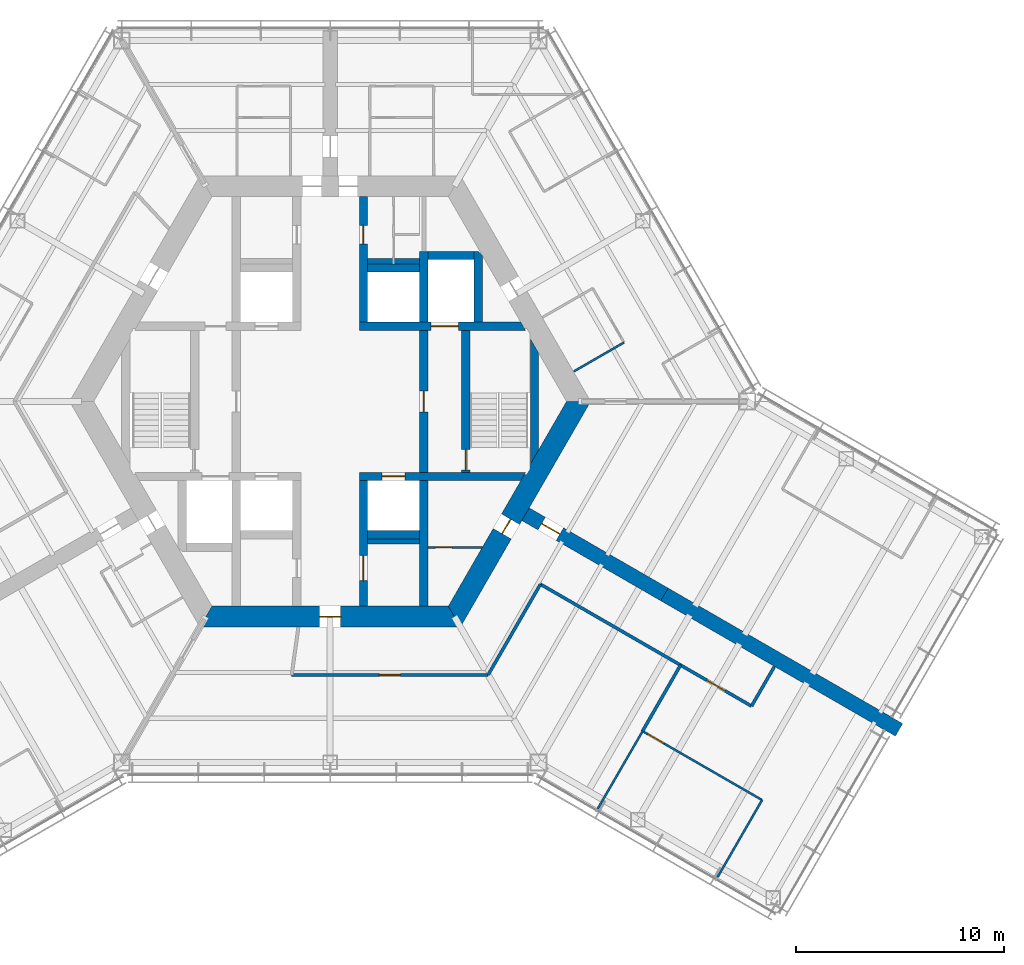
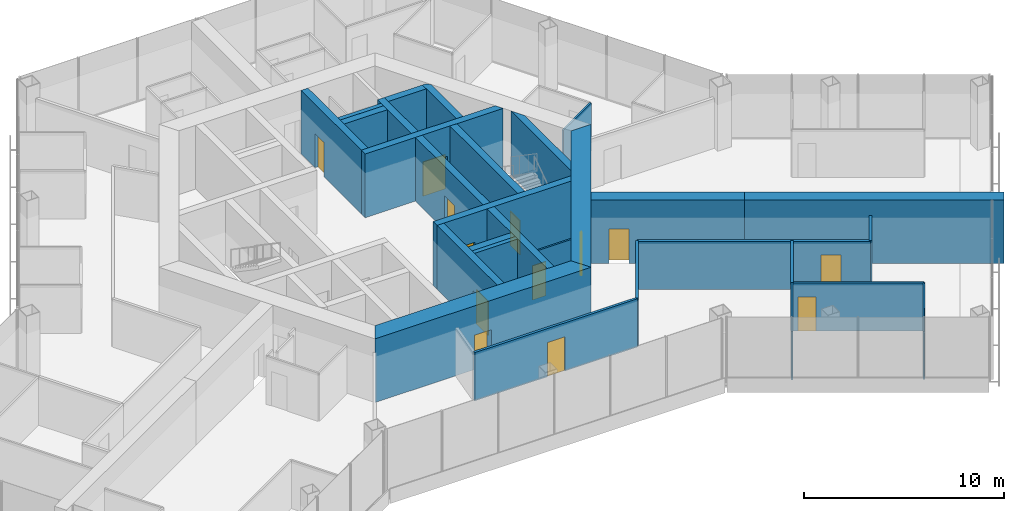
# One storey, part 13 of 18: 30 walls, 13 doors, 13 openings.
"""IFC4 building model written with IfcOpenShell, lengths in metres."""

import ifcopenshell
import ifcopenshell.guid

model = None  # the IFC model being written
_history = None  # IfcOwnerHistory: only IFC2X3 demands one
_inside = {}  # id of a spatial element -> (the spatial element, [elements in it])
_under = {}  # id of a project, library or spatial element -> (it, [spatial elements below it])
_declared = {}  # id of a project -> (the project, [libraries it declares])
_typed = {}  # id of a type object -> (the type object, [elements of that type])
_made_of = {}  # id of a material, layer set ... -> (it, [elements and type objects made of it])


def new_model(schema):
    """Start an empty IFC model of exactly this schema.

    Asked for "IFC4X3", IfcOpenShell would pick the latest addendum, in which some entities
    have other attributes; the version numbers below select the first issue.
    IFC2X3 requires an IfcOwnerHistory on every rooted entity: one is made here for all.
    """
    global model, _history
    if schema == "IFC4X3":
        model = ifcopenshell.file(schema_version=(4, 3, 0, 0))
    else:
        model = ifcopenshell.file(schema=schema)
    _inside.clear()
    _under.clear()
    _declared.clear()
    _typed.clear()
    _made_of.clear()
    _history = None
    if model.schema == "IFC2X3":
        org = make("IfcOrganization", Name="unknown")
        user = make(
            "IfcPersonAndOrganization",
            ThePerson=make("IfcPerson", FamilyName="unknown"),
            TheOrganization=org,
        )
        app = make(
            "IfcApplication",
            ApplicationDeveloper=org,
            Version="unknown",
            ApplicationFullName="unknown",
            ApplicationIdentifier="unknown",
        )
        _history = make(
            "IfcOwnerHistory",
            OwningUser=user,
            OwningApplication=app,
            ChangeAction="ADDED",
            CreationDate=0,
        )
    return model


def make(cls, **values):
    """One entity of the class cls with the attributes given. An attribute that is None is left unset."""
    return model.create_entity(
        cls, **{name: value for name, value in values.items() if value is not None}
    )


def rooted(cls, **values):
    """An entity with a GlobalId (a new one), such as an element, a storey or a relation."""
    return make(cls, GlobalId=ifcopenshell.guid.new(), OwnerHistory=_history, **values)


def si_unit(unit_type, name, prefix=None):
    """IfcSIUnit, for example si_unit("LENGTHUNIT", "METRE", prefix="MILLI")."""
    return make("IfcSIUnit", UnitType=unit_type, Prefix=prefix, Name=name)


def assignment(units):
    """IfcUnitAssignment: the units of a project."""
    return None if units is None else make("IfcUnitAssignment", Units=units)


def point(xyz):
    """IfcCartesianPoint."""
    return None if xyz is None else make("IfcCartesianPoint", Coordinates=xyz)


def direction(xyz):
    """IfcDirection."""
    return None if xyz is None else make("IfcDirection", DirectionRatios=xyz)


def frame(location, z_axis=None, x_axis=None):
    """IfcAxis2Placement3D, a coordinate frame: its origin and axes. An axis left out is left unset."""
    return make(
        "IfcAxis2Placement3D",
        Location=point(location),
        Axis=direction(z_axis),
        RefDirection=direction(x_axis),
    )


def frame_2d(location, x_axis=None):
    """IfcAxis2Placement2D, a coordinate frame in the plane: its origin and x axis."""
    return make(
        "IfcAxis2Placement2D", Location=point(location), RefDirection=direction(x_axis)
    )


def origin():
    """The frame at (0, 0, 0) with its axes left unset."""
    return frame((0.0, 0.0, 0.0))


def place(relative_to, where):
    """IfcLocalPlacement: puts the frame where relative to a parent placement (None: the world)."""
    return make(
        "IfcLocalPlacement", PlacementRelTo=relative_to, RelativePlacement=where
    )


def context(
    kind, dimensions, precision=None, world=None, true_north=None, identifier=None
):
    """IfcGeometricRepresentationContext, for example the 3D "Model" context."""
    return make(
        "IfcGeometricRepresentationContext",
        ContextIdentifier=identifier,
        ContextType=kind,
        CoordinateSpaceDimension=dimensions,
        Precision=precision,
        WorldCoordinateSystem=world,
        TrueNorth=true_north,
    )


def subcontext(parent, identifier, kind, view, scale=None):
    """IfcGeometricRepresentationSubContext, for example "Body" below "Model"."""
    return make(
        "IfcGeometricRepresentationSubContext",
        ContextIdentifier=identifier,
        ContextType=kind,
        ParentContext=parent,
        TargetScale=scale,
        TargetView=view,
    )


def project(units=None, contexts=None):
    """IfcProject with its units and contexts."""
    return rooted(
        "IfcProject",
        Name="project",
        RepresentationContexts=contexts,
        UnitsInContext=assignment(units),
    )


def spatial(cls, under=None, at=None, **own):
    """A site, building, storey or space (cls), placed at a placement, below another one or the project."""
    s = rooted(cls, ObjectPlacement=at, **own)
    if under is not None:
        _under.setdefault(under.id(), (under, []))[1].append(s)
    return s


def polyline(points):
    """IfcPolyline through the points."""
    return make("IfcPolyline", Points=[point(p) for p in points])


def profile(cls, at=None, kind="AREA", **sizes):
    """A parametric profile (cls). Its sizes go by their IFC names, for example OverallWidth=200.0."""
    return make(cls, ProfileType=kind, Position=at, **sizes)


def rectangle(**sizes):
    """IfcRectangleProfileDef."""
    return profile("IfcRectangleProfileDef", **sizes)


def outline(outer, holes=None, kind="AREA"):
    """IfcArbitraryClosedProfileDef: a profile drawn as a closed curve; with holes, ...WithVoids."""
    if holes is None:
        return make("IfcArbitraryClosedProfileDef", ProfileType=kind, OuterCurve=outer)
    return make(
        "IfcArbitraryProfileDefWithVoids",
        ProfileType=kind,
        OuterCurve=outer,
        InnerCurves=holes,
    )


def extrude(swept, where, along, depth):
    """IfcExtrudedAreaSolid: the profile swept, set in the frame where, extruded along a direction by depth."""
    return make(
        "IfcExtrudedAreaSolid",
        SweptArea=swept,
        Position=where,
        ExtrudedDirection=direction(along),
        Depth=depth,
    )


def shape(context_of_items, identifier, shape_type, items):
    """IfcShapeRepresentation: the items that make up one representation, for example the "Body"."""
    return make(
        "IfcShapeRepresentation",
        ContextOfItems=context_of_items,
        RepresentationIdentifier=identifier,
        RepresentationType=shape_type,
        Items=items,
    )


def material(Name=None, Category=None):
    """IfcMaterial."""
    return make("IfcMaterial", Name=Name, Category=Category)


def layer(
    of_material, thickness, ventilated=None, Name=None, Category=None, Priority=None
):
    """IfcMaterialLayer: one layer of a wall or slab, of a material (None: an air gap)."""
    return make(
        "IfcMaterialLayer",
        Material=of_material,
        LayerThickness=thickness,
        IsVentilated=ventilated,
        Name=Name,
        Category=Category,
        Priority=Priority,
    )


def layer_set(layers, Name=None):
    """IfcMaterialLayerSet."""
    return make("IfcMaterialLayerSet", MaterialLayers=layers, LayerSetName=Name)


def made_of(thing, what):
    """Note that an element or type object is made of a material, layer set ...; save() writes the relation."""
    if what is not None:
        _made_of.setdefault(what.id(), (what, []))[1].append(thing)
    return thing


def type_object(cls, material=None, **own):
    """A type object (cls), such as IfcWallType, which elements share."""
    return made_of(rooted(cls, **own), material)


def element(
    cls,
    number,
    at=None,
    inside=None,
    cuts=None,
    type_object=None,
    material=None,
    context=None,
    identifier="Body",
    shape_type=None,
    held_by="IfcProductDefinitionShape",
    body=None,
    shapes=None,
    **own,
):
    """One element of the class cls, such as IfcWall. Its Tag is "e" and its number.

    at: its placement. inside: the storey or other place that contains it. cuts: it is an
    opening in that element (IfcRelVoidsElement). A single representation is given by context,
    identifier, shape_type and body (its items); several are given by shapes. held_by: the class
    of the entity that holds the representations. save() writes the other relations.
    """
    e = rooted(cls, Tag="e%d" % number, ObjectPlacement=at, **own)
    if body is not None:
        shapes = [shape(context, identifier, shape_type, body)]
    if shapes is not None:
        e.Representation = make(held_by, Representations=shapes)
    if inside is not None:
        _inside.setdefault(inside.id(), (inside, []))[1].append(e)
    if cuts is not None:
        rooted(
            "IfcRelVoidsElement", RelatingBuildingElement=cuts, RelatedOpeningElement=e
        )
    if type_object is not None:
        _typed.setdefault(type_object.id(), (type_object, []))[1].append(e)
    return made_of(e, material)


def fill(opening, filler):
    """IfcRelFillsElement: the door or window that sits in an opening."""
    return rooted(
        "IfcRelFillsElement",
        RelatingOpeningElement=opening,
        RelatedBuildingElement=filler,
    )


def aggregate(whole, parts):
    """IfcRelAggregates: a whole, such as a stair, and the parts it consists of."""
    return rooted("IfcRelAggregates", RelatingObject=whole, RelatedObjects=parts)


def save(model, path):
    """Write the relations noted so far, then the file.

    IfcRelAggregates (storeys below a building ...), IfcRelContainedInSpatialStructure (elements
    in a storey), IfcRelDefinesByType, IfcRelAssociatesMaterial and IfcRelDeclares: one each for
    every whole, place, type object, material and project.
    """
    for whole, parts in _under.values():
        aggregate(whole, parts)
    for where, things in _inside.values():
        rooted(
            "IfcRelContainedInSpatialStructure",
            RelatedElements=things,
            RelatingStructure=where,
        )
    for kind, things in _typed.values():
        rooted("IfcRelDefinesByType", RelatedObjects=things, RelatingType=kind)
    for what, things in _made_of.values():
        rooted("IfcRelAssociatesMaterial", RelatedObjects=things, RelatingMaterial=what)
    for by, libraries in _declared.values():
        rooted("IfcRelDeclares", RelatingContext=by, RelatedDefinitions=libraries)
    model.write(path)


model = new_model("IFC4")

# Units and contexts
model_context = context("Model", 3, precision=1e-05, world=origin(), true_north=direction((0.0, 1.0)))
body_context = subcontext(model_context, "Body", "Model", "MODEL_VIEW")
ifc_project = project(units=[si_unit("LENGTHUNIT", "METRE"), si_unit("AREAUNIT", "SQUARE_METRE"), si_unit("VOLUMEUNIT", "CUBIC_METRE"), si_unit("PLANEANGLEUNIT", "RADIAN"), si_unit("MASSUNIT", "GRAM", prefix="KILO")], contexts=[model_context])

# Site, building, storey
site_placement = place(None, origin())
site = spatial("IfcSite", under=ifc_project, at=site_placement, CompositionType="ELEMENT")
building_placement = place(site_placement, origin())
building = spatial("IfcBuilding", under=site, at=building_placement, Name="Kasaneha Research Tower", CompositionType="ELEMENT")
storey_placement = place(building_placement, frame((0.0, 0.0, 152.60009765625)))
storey = spatial("IfcBuildingStorey", under=building, at=storey_placement, Name="L38", CompositionType="ELEMENT", Elevation=152.60009765625)

# Wall, opening, door
ifc_material_1 = material(Name="Concrete Fc70", Category="concrete")
ifc_layer_1 = layer(ifc_material_1, 0.39990234375)
ifc_layer_set_1 = layer_set([ifc_layer_1], Name="Core internal wall 400 Fc70")
wall_type_1 = type_object("IfcWallType", Name="Core internal wall 400 Fc70", PredefinedType="SHEAR", material=ifc_layer_set_1)
wall_1_placement = place(storey_placement, frame((1.39990234375, 3.60009765625, 0.0), z_axis=(0.0, 0.0, 1.0), x_axis=(1.0, 0.0, 0.0)))
wall_1 = element("IfcWall", 1, at=wall_1_placement, inside=storey, type_object=wall_type_1, Name="Core wall W1E L38", PredefinedType="SHEAR", context=body_context, shape_type="SweptSolid", body=[
    extrude(outline(polyline([(0.0, -0.199951171875), (3.449951171875, -0.199951171875), (4.75, -0.199951171875), (7.98193359375, -0.199951171875), (7.7509765625, 0.199951171875), (4.75, 0.199951171875), (3.449951171875, 0.199951171875), (0.0, 0.199951171875), (0.0, -0.199951171875)])), origin(), (0.0, 0.0, 1.0), 3.89990234375),
])
opening_1_placement = place(wall_1_placement, frame((3.449951171875, 0.0, 0.0)))
opening_1 = element("IfcOpeningElement", 2, at=opening_1_placement, cuts=wall_1, Name="Opening LD-FL1-L38", PredefinedType="OPENING", context=body_context, shape_type="SweptSolid", body=[
    extrude(rectangle(XDim=1.300048828125, YDim=2.10009765625, at=frame_2d((0.64990234375, 1.050048828125))), frame((0.0, 0.2099609375, 0.0), z_axis=(0.0, -1.0, 0.0), x_axis=(1.0, 0.0, 0.0)), (0.0, 0.0, 1.0), 0.419921875),
])
ifc_material_2 = material(Name="Steel", Category="steel")
door_type_1 = type_object("IfcDoorType", Name="Lift landing door 1300x2100", OperationType="DOUBLE_DOOR_SLIDING", PredefinedType="DOOR", material=ifc_material_2)
door_1_placement = place(opening_1_placement, origin())
door_1 = element("IfcDoor", 3, at=door_1_placement, inside=storey, type_object=door_type_1, Name="Landing door FL1 LD-FL1-L38", OperationType="DOUBLE_DOOR_SLIDING", OverallHeight=2.10009765625, OverallWidth=1.300048828125, PredefinedType="DOOR", context=body_context, shape_type="SweptSolid", body=[
    extrude(rectangle(XDim=1.300048828125, YDim=2.10009765625, at=frame_2d((0.64990234375, 1.050048828125))), frame((0.0, 0.02490234375, 0.0), z_axis=(0.0, -1.0, 0.0), x_axis=(1.0, 0.0, 0.0)), (0.0, 0.0, 1.0), 0.050048828125),
])
fill(opening_1, door_1)

wall_2_placement = place(storey_placement, frame((1.39990234375, -3.60009765625, 0.0), z_axis=(0.0, 0.0, 1.0), x_axis=(1.0, 0.0, 0.0)))
wall_2 = element("IfcWall", 4, at=wall_2_placement, inside=storey, type_object=wall_type_1, Name="Core wall W2E L38", PredefinedType="SHEAR", context=body_context, shape_type="SweptSolid", body=[
    extrude(outline(polyline([(0.0, -0.199951171875), (1.10009765625, -0.199951171875), (2.2001953125, -0.199951171875), (7.7509765625, -0.199951171875), (7.98193359375, 0.199951171875), (2.2001953125, 0.199951171875), (1.10009765625, 0.199951171875), (0.0, 0.199951171875), (0.0, -0.199951171875)])), origin(), (0.0, 0.0, 1.0), 3.89990234375),
])
opening_2_placement = place(wall_2_placement, frame((1.10009765625, 0.0, 0.0)))
opening_2 = element("IfcOpeningElement", 5, at=opening_2_placement, cuts=wall_2, Name="Opening LD-LM2-L38", PredefinedType="OPENING", context=body_context, shape_type="SweptSolid", body=[
    extrude(rectangle(XDim=1.10009765625, YDim=2.10009765625, at=frame_2d((0.550048828125, 1.050048828125))), frame((0.0, 0.2099609375, 0.0), z_axis=(0.0, -1.0, 0.0), x_axis=(1.0, 0.0, 0.0)), (0.0, 0.0, 1.0), 0.419921875),
])
ifc_material_3 = material(Name="Steel", Category="steel")
door_type_2 = type_object("IfcDoorType", Name="Lift landing door 1100x2100", OperationType="DOUBLE_DOOR_SLIDING", PredefinedType="DOOR", material=ifc_material_3)
door_2_placement = place(opening_2_placement, origin())
door_2 = element("IfcDoor", 6, at=door_2_placement, inside=storey, type_object=door_type_2, Name="Landing door LM2 LD-LM2-L38", OperationType="DOUBLE_DOOR_SLIDING", OverallHeight=2.10009765625, OverallWidth=1.10009765625, PredefinedType="DOOR", context=body_context, shape_type="SweptSolid", body=[
    extrude(rectangle(XDim=1.10009765625, YDim=2.10009765625, at=frame_2d((0.550048828125, 1.050048828125))), frame((0.0, 0.02490234375, 0.0), z_axis=(0.0, -1.0, 0.0), x_axis=(1.0, 0.0, 0.0)), (0.0, 0.0, 1.0), 0.050048828125),
])
fill(opening_2, door_2)

wall_3_placement = place(storey_placement, frame((1.60009765625, 3.800048828125, 0.0), z_axis=(0.0, 0.0, 1.0), x_axis=(0.0, 1.0, 0.0)))
wall_3 = element("IfcWall", 7, at=wall_3_placement, inside=storey, type_object=wall_type_1, Name="Core wall CNE L38", PredefinedType="SHEAR", context=body_context, shape_type="SweptSolid", body=[
    extrude(rectangle(XDim=6.02490234375, YDim=0.39990234375, at=frame_2d((3.012451171875, 0.0))), origin(), (0.0, 0.0, 1.0), 3.89990234375),
])
opening_3_placement = place(wall_3_placement, frame((3.75, 0.0, 0.0)))
opening_3 = element("IfcOpeningElement", 8, at=opening_3_placement, cuts=wall_3, Name="Opening L38-D14", PredefinedType="OPENING", context=body_context, shape_type="SweptSolid", body=[
    extrude(rectangle(XDim=0.89990234375, YDim=2.10009765625, at=frame_2d((0.449951171875, 1.050048828125))), frame((0.0, 0.2099609375, 0.0), z_axis=(0.0, -1.0, 0.0), x_axis=(1.0, 0.0, 0.0)), (0.0, 0.0, 1.0), 0.419921875),
])
ifc_material_4 = material(Name="Steel", Category="steel")
door_type_3 = type_object("IfcDoorType", Name="Toilet door FD20 900x2100", OperationType="NOTDEFINED", PredefinedType="DOOR", material=ifc_material_4)
door_3_placement = place(opening_3_placement, origin())
door_3 = element("IfcDoor", 9, at=door_3_placement, inside=storey, type_object=door_type_3, Name="Women's WC door L38-D14", OperationType="SINGLE_SWING_LEFT", OverallHeight=2.10009765625, OverallWidth=0.89990234375, PredefinedType="DOOR", context=body_context, shape_type="SweptSolid", body=[
    extrude(rectangle(XDim=0.89990234375, YDim=2.10009765625, at=frame_2d((0.449951171875, 1.050048828125))), frame((0.0, 0.02490234375, 0.0), z_axis=(0.0, -1.0, 0.0), x_axis=(1.0, 0.0, 0.0)), (0.0, 0.0, 1.0), 0.050048828125),
])
fill(opening_3, door_3)

wall_4_placement = place(storey_placement, frame((1.60009765625, -3.800048828125, 0.0), z_axis=(0.0, 0.0, 1.0), x_axis=(0.0, -1.0, 0.0)))
wall_4 = element("IfcWall", 10, at=wall_4_placement, inside=storey, type_object=wall_type_1, Name="Core wall CSE L38", PredefinedType="SHEAR", context=body_context, shape_type="SweptSolid", body=[
    extrude(rectangle(XDim=6.02490234375, YDim=0.39990234375, at=frame_2d((3.012451171875, 0.0))), origin(), (0.0, 0.0, 1.0), 3.89990234375),
])
opening_4_placement = place(wall_4_placement, frame((3.60009765625, 0.0, 0.0)))
opening_4 = element("IfcOpeningElement", 11, at=opening_4_placement, cuts=wall_4, Name="Opening L38-D15", PredefinedType="OPENING", context=body_context, shape_type="SweptSolid", body=[
    extrude(rectangle(XDim=1.199951171875, YDim=2.10009765625, at=frame_2d((0.60009765625, 1.050048828125))), frame((0.0, 0.2099609375, 0.0), z_axis=(0.0, -1.0, 0.0), x_axis=(1.0, 0.0, 0.0)), (0.0, 0.0, 1.0), 0.419921875),
])
ifc_material_5 = material(Name="Steel", Category="steel")
door_type_4 = type_object("IfcDoorType", Name="Accessible toilet sliding door FD20 1200x2100", OperationType="SLIDING_TO_LEFT", PredefinedType="DOOR", material=ifc_material_5)
door_4_placement = place(opening_4_placement, origin())
door_4 = element("IfcDoor", 12, at=door_4_placement, inside=storey, type_object=door_type_4, Name="Accessible WC door L38-D15", OperationType="SLIDING_TO_LEFT", OverallHeight=2.10009765625, OverallWidth=1.199951171875, PredefinedType="DOOR", context=body_context, shape_type="SweptSolid", body=[
    extrude(rectangle(XDim=1.199951171875, YDim=2.10009765625, at=frame_2d((0.60009765625, 1.050048828125))), frame((0.0, 0.02490234375, 0.0), z_axis=(0.0, -1.0, 0.0), x_axis=(1.0, 0.0, 0.0)), (0.0, 0.0, 1.0), 0.050048828125),
])
fill(opening_4, door_4)

wall_5_placement = place(storey_placement, frame((4.5, -3.39990234375, 0.0), z_axis=(0.0, 0.0, 1.0), x_axis=(0.0, 1.0, 0.0)))
wall_5 = element("IfcWall", 13, at=wall_5_placement, inside=storey, type_object=wall_type_1, Name="Core wall LBE L38", PredefinedType="SHEAR", context=body_context, shape_type="SweptSolid", body=[
    extrude(rectangle(XDim=6.7998046875, YDim=0.39990234375, at=frame_2d((3.39990234375, 0.0))), origin(), (0.0, 0.0, 1.0), 3.89990234375),
])
opening_5_placement = place(wall_5_placement, frame((2.89990234375, 0.0, 0.0)))
opening_5 = element("IfcOpeningElement", 14, at=opening_5_placement, cuts=wall_5, Name="Opening L38-D08", PredefinedType="OPENING", context=body_context, shape_type="SweptSolid", body=[
    extrude(rectangle(XDim=1.0, YDim=2.10009765625, at=frame_2d((0.5, 1.050048828125))), frame((0.0, 0.2099609375, 0.0), z_axis=(0.0, -1.0, 0.0), x_axis=(1.0, 0.0, 0.0)), (0.0, 0.0, 1.0), 0.419921875),
])
ifc_material_6 = material(Name="Steel", Category="steel")
door_type_5 = type_object("IfcDoorType", Name="Specified fire door FD60 1000x2100", OperationType="NOTDEFINED", PredefinedType="DOOR", material=ifc_material_6)
door_5_placement = place(opening_5_placement, origin())
door_5 = element("IfcDoor", 15, at=door_5_placement, inside=storey, type_object=door_type_5, Name="Lift lobby door east L38-D08", OperationType="SINGLE_SWING_LEFT", OverallHeight=2.10009765625, OverallWidth=1.0, PredefinedType="DOOR", context=body_context, shape_type="SweptSolid", body=[
    extrude(rectangle(XDim=1.0, YDim=2.10009765625, at=frame_2d((0.5, 1.050048828125))), frame((0.0, 0.02490234375, 0.0), z_axis=(0.0, -1.0, 0.0), x_axis=(1.0, 0.0, 0.0)), (0.0, 0.0, 1.0), 0.050048828125),
])
fill(opening_5, door_5)

wall_6_placement = place(storey_placement, frame((6.5, -3.39990234375, 0.0), z_axis=(0.0, 0.0, 1.0), x_axis=(0.0, 1.0, 0.0)))
wall_6 = element("IfcWall", 16, at=wall_6_placement, inside=storey, type_object=wall_type_1, Name="Core wall ANE L38", PredefinedType="SHEAR", context=body_context, shape_type="SweptSolid", body=[
    extrude(rectangle(XDim=6.7998046875, YDim=0.39990234375, at=frame_2d((3.39990234375, 0.0))), origin(), (0.0, 0.0, 1.0), 3.89990234375),
])
opening_6_placement = place(wall_6_placement, frame((0.10009765625, 0.0, 0.0)))
opening_6 = element("IfcOpeningElement", 17, at=opening_6_placement, cuts=wall_6, Name="Opening L38-D10", PredefinedType="OPENING", context=body_context, shape_type="SweptSolid", body=[
    extrude(rectangle(XDim=1.0, YDim=2.10009765625, at=frame_2d((0.5, 1.050048828125))), frame((0.0, 0.2099609375, 0.0), z_axis=(0.0, -1.0, 0.0), x_axis=(1.0, 0.0, 0.0)), (0.0, 0.0, 1.0), 0.419921875),
])
door_6_placement = place(opening_6_placement, origin())
door_6 = element("IfcDoor", 18, at=door_6_placement, inside=storey, type_object=door_type_5, Name="Stair 1 door L38-D10", OperationType="SINGLE_SWING_LEFT", OverallHeight=2.10009765625, OverallWidth=1.0, PredefinedType="DOOR", context=body_context, shape_type="SweptSolid", body=[
    extrude(rectangle(XDim=1.0, YDim=2.10009765625, at=frame_2d((0.5, 1.050048828125))), frame((0.0, 0.02490234375, 0.0), z_axis=(0.0, -1.0, 0.0), x_axis=(1.0, 0.0, 0.0)), (0.0, 0.0, 1.0), 0.050048828125),
])
fill(opening_6, door_6)

# Walls
wall_7_placement = place(storey_placement, frame((4.5, 3.800048828125, 0.0), z_axis=(0.0, 0.0, 1.0), x_axis=(0.0, 1.0, 0.0)))
element("IfcWall", 19, at=wall_7_placement, inside=storey, type_object=wall_type_1, Name="Core wall FNE L38", PredefinedType="SHEAR", context=body_context, shape_type="SweptSolid", body=[
    extrude(rectangle(XDim=3.39990234375, YDim=0.39990234375, at=frame_2d((1.699951171875, 0.0))), origin(), (0.0, 0.0, 1.0), 3.89990234375),
])
wall_8_placement = place(storey_placement, frame((4.5, -3.800048828125, 0.0), z_axis=(0.0, 0.0, 1.0), x_axis=(0.0, -1.0, 0.0)))
element("IfcWall", 20, at=wall_8_placement, inside=storey, type_object=wall_type_1, Name="Core wall SSE L38", PredefinedType="SHEAR", context=body_context, shape_type="SweptSolid", body=[
    extrude(rectangle(XDim=6.02490234375, YDim=0.39990234375, at=frame_2d((3.012451171875, 0.0))), origin(), (0.0, 0.0, 1.0), 3.89990234375),
])
for number, where, z_axis, x_axis, name in (
    (21, (1.800048828125, 6.39990234375, 0.0), (0.0, 0.0, 1.0), (1.0, 0.0, 0.0), "Core wall N3N L38"),
    (22, (1.800048828125, -6.39990234375, 0.0), (0.0, 0.0, 1.0), (1.0, 0.0, 0.0), "Core wall S3S L38"),
):
    element("IfcWall", number, at=place(storey_placement, frame(where, z_axis=z_axis, x_axis=x_axis)), inside=storey, type_object=wall_type_1, Name=name, PredefinedType="SHEAR", context=body_context, shape_type="SweptSolid", body=[
        extrude(rectangle(XDim=2.5, YDim=0.39990234375, at=frame_2d((1.25, 0.0))), origin(), (0.0, 0.0, 1.0), 3.89990234375),
    ])
wall_9_placement = place(storey_placement, frame((4.699951171875, 7.0, 0.0), z_axis=(0.0, 0.0, 1.0), x_axis=(1.0, 0.0, 0.0)))
element("IfcWall", 23, at=wall_9_placement, inside=storey, type_object=wall_type_1, Name="Core wall F1N L38", PredefinedType="SHEAR", context=body_context, shape_type="SweptSolid", body=[
    extrude(rectangle(XDim=2.199951171875, YDim=0.39990234375, at=frame_2d((1.10009765625, 0.0))), origin(), (0.0, 0.0, 1.0), 3.89990234375),
])
wall_10_placement = place(storey_placement, frame((7.10009765625, 3.800048828125, 0.0), z_axis=(0.0, 0.0, 1.0), x_axis=(0.0, 1.0, 0.0)))
element("IfcWall", 24, at=wall_10_placement, inside=storey, type_object=wall_type_1, Name="Core wall F1E L38", PredefinedType="SHEAR", context=body_context, shape_type="SweptSolid", body=[
    extrude(outline(polyline([(0.0, -0.199951171875), (3.205810546875, -0.199951171875), (3.39990234375, 0.0), (3.39990234375, 0.199951171875), (0.0, 0.199951171875), (0.0, -0.199951171875)])), origin(), (0.0, 0.0, 1.0), 3.89990234375),
])
wall_11_placement = place(storey_placement, frame((9.807861328125, -2.662353515625, 0.0), z_axis=(0.0, 0.0, 1.0), x_axis=(0.0, 1.0, 0.0)))
element("IfcWall", 25, at=wall_11_placement, inside=storey, type_object=wall_type_1, Name="Core wall STE L38", PredefinedType="SHEAR", context=body_context, shape_type="SweptSolid", body=[
    extrude(outline(polyline([(0.346435546875, -0.199951171875), (4.978271484375, -0.199951171875), (5.671142578125, 0.199951171875), (-0.346435546875, 0.199951171875), (0.346435546875, -0.199951171875)])), origin(), (0.0, 0.0, 1.0), 3.89990234375),
])

# Wall, opening, door
ifc_material_7 = material(Name="Concrete Fc70", Category="concrete")
ifc_layer_2 = layer(ifc_material_7, 1.0)
ifc_layer_set_2 = layer_set([ifc_layer_2], Name="Core wall 1000 Fc70")
wall_type_2 = type_object("IfcWallType", Name="Core wall 1000 Fc70", PredefinedType="SHEAR", material=ifc_layer_set_2)
wall_12_placement = place(storey_placement, frame((-5.961181640625, -10.324951171875, 0.0), z_axis=(0.0, 0.0, 1.0), x_axis=(1.0, 0.0, 0.0)))
wall_12 = element("IfcWall", 26, at=wall_12_placement, inside=storey, type_object=wall_type_2, Name="Core wall 270 L38", PredefinedType="SHEAR", context=body_context, shape_type="SweptSolid", body=[
    extrude(outline(polyline([(-0.28857421875, -0.5), (5.461181640625, -0.5), (6.461181640625, -0.5), (12.2109375, -0.5), (11.6337890625, 0.5), (6.461181640625, 0.5), (5.461181640625, 0.5), (0.28857421875, 0.5), (-0.28857421875, -0.5)])), origin(), (0.0, 0.0, 1.0), 3.89990234375),
])
opening_7_placement = place(wall_12_placement, frame((5.461181640625, 0.0, 0.0)))
opening_7 = element("IfcOpeningElement", 27, at=opening_7_placement, cuts=wall_12, Name="Opening L38-D03", PredefinedType="OPENING", context=body_context, shape_type="SweptSolid", body=[
    extrude(rectangle(XDim=1.0, YDim=2.10009765625, at=frame_2d((0.5, 1.050048828125))), frame((0.0, 0.510009765625, 0.0), z_axis=(0.0, -1.0, 0.0), x_axis=(1.0, 0.0, 0.0)), (0.0, 0.0, 1.0), 1.02001953125),
])
ifc_material_8 = material(Name="Steel", Category="steel")
door_type_6 = type_object("IfcDoorType", Name="Fire door FD20 1000x2100", OperationType="NOTDEFINED", PredefinedType="DOOR", material=ifc_material_8)
door_7_placement = place(opening_7_placement, origin())
door_7 = element("IfcDoor", 28, at=door_7_placement, inside=storey, type_object=door_type_6, Name="Core door south L38-D03", OperationType="SINGLE_SWING_LEFT", OverallHeight=2.10009765625, OverallWidth=1.0, PredefinedType="DOOR", context=body_context, shape_type="SweptSolid", body=[
    extrude(rectangle(XDim=1.0, YDim=2.10009765625, at=frame_2d((0.5, 1.050048828125))), frame((0.0, 0.02490234375, 0.0), z_axis=(0.0, -1.0, 0.0), x_axis=(1.0, 0.0, 0.0)), (0.0, 0.0, 1.0), 0.050048828125),
])
fill(opening_7, door_7)

wall_13_placement = place(storey_placement, frame((5.961181640625, -10.324951171875, 0.0), z_axis=(0.0, 0.0, 1.0), x_axis=(0.500004296715, 0.866022923061, 0.0)))
wall_13 = element("IfcWall", 29, at=wall_13_placement, inside=storey, type_object=wall_type_2, Name="Core wall 330 L38", PredefinedType="SHEAR", context=body_context, shape_type="SweptSolid", body=[
    extrude(outline(polyline([(-0.28857421875, -0.5), (4.593994140625, -0.5), (5.39404296875, -0.5), (12.2109375, -0.5), (11.6337890625, 0.5), (5.39404296875, 0.5), (4.593994140625, 0.5), (0.28857421875, 0.5), (-0.28857421875, -0.5)])), origin(), (0.0, 0.0, 1.0), 3.89990234375),
])
opening_8_placement = place(wall_13_placement, frame((4.593994140625, 0.0, 0.0)))
opening_8 = element("IfcOpeningElement", 30, at=opening_8_placement, cuts=wall_13, Name="Opening L38-D05", PredefinedType="OPENING", context=body_context, shape_type="SweptSolid", body=[
    extrude(rectangle(XDim=0.800048828125, YDim=2.10009765625, at=frame_2d((0.39990234375, 1.050048828125))), frame((0.0, 0.510009765625, 0.0), z_axis=(0.0, -1.0, 0.0), x_axis=(1.0, 0.0, 0.0)), (0.0, 0.0, 1.0), 1.02001953125),
])
ifc_material_9 = material(Name="Steel", Category="steel")
door_type_7 = type_object("IfcDoorType", Name="Riser access door FD60 800x2100", OperationType="NOTDEFINED", PredefinedType="DOOR", material=ifc_material_9)
door_8_placement = place(opening_8_placement, origin())
door_8 = element("IfcDoor", 31, at=door_8_placement, inside=storey, type_object=door_type_7, Name="Pipe riser door L38-D05", OperationType="SINGLE_SWING_LEFT", OverallHeight=2.10009765625, OverallWidth=0.800048828125, PredefinedType="DOOR", context=body_context, shape_type="SweptSolid", body=[
    extrude(rectangle(XDim=0.800048828125, YDim=2.10009765625, at=frame_2d((0.39990234375, 1.050048828125))), frame((0.0, 0.02490234375, 0.0), z_axis=(0.0, -1.0, 0.0), x_axis=(1.0, 0.0, 0.0)), (0.0, 0.0, 1.0), 0.050048828125),
])
fill(opening_8, door_8)

ifc_material_10 = material(Name="Gypsum board on steel studs, one layer each side", Category="steel")
ifc_layer_3 = layer(ifc_material_10, 0.10009765625)
ifc_layer_set_3 = layer_set([ifc_layer_3], Name="Office partition 100")
wall_type_3 = type_object("IfcWallType", Name="Office partition 100", PredefinedType="PARTITIONING", material=ifc_layer_set_3)
wall_14_placement = place(storey_placement, frame((4.699951171875, -7.0, 0.0), z_axis=(0.0, 0.0, 1.0), x_axis=(1.0, 0.0, 0.0)))
wall_14 = element("IfcWall", 32, at=wall_14_placement, inside=storey, type_object=wall_type_3, Name="Office partition RS-SE L38", PredefinedType="PARTITIONING", context=body_context, shape_type="SweptSolid", body=[
    extrude(outline(polyline([(0.0, -0.050048828125), (0.35009765625, -0.050048828125), (1.150146484375, -0.050048828125), (2.57470703125, -0.050048828125), (2.603515625, 0.0), (2.609375, 0.050048828125), (1.150146484375, 0.050048828125), (0.35009765625, 0.050048828125), (0.0, 0.050048828125), (0.0, -0.050048828125)])), origin(), (0.0, 0.0, 1.0), 2.949951171875),
])
opening_9_placement = place(wall_14_placement, frame((0.35009765625, 0.0, 0.0)))
opening_9 = element("IfcOpeningElement", 33, at=opening_9_placement, cuts=wall_14, Name="Opening L38-D22", PredefinedType="OPENING", context=body_context, shape_type="SweptSolid", body=[
    extrude(rectangle(XDim=0.800048828125, YDim=2.10009765625, at=frame_2d((0.39990234375, 1.050048828125))), frame((0.0, 0.06005859375, 0.0), z_axis=(0.0, -1.0, 0.0), x_axis=(1.0, 0.0, 0.0)), (0.0, 0.0, 1.0), 0.1201171875),
])
door_9_placement = place(opening_9_placement, origin())
door_9 = element("IfcDoor", 34, at=door_9_placement, inside=storey, type_object=door_type_7, Name="Drainage riser door L38-D22", OperationType="SINGLE_SWING_LEFT", OverallHeight=2.10009765625, OverallWidth=0.800048828125, PredefinedType="DOOR", context=body_context, shape_type="SweptSolid", body=[
    extrude(rectangle(XDim=0.800048828125, YDim=2.10009765625, at=frame_2d((0.39990234375, 1.050048828125))), frame((0.0, 0.02490234375, 0.0), z_axis=(0.0, -1.0, 0.0), x_axis=(1.0, 0.0, 0.0)), (0.0, 0.0, 1.0), 0.050048828125),
])
fill(opening_9, door_9)

# Walls
wall_15_placement = place(storey_placement, frame((14.099609375, 2.828857421875, 0.0), z_axis=(0.0, 0.0, 1.0), x_axis=(-0.866018876994, -0.500011304563, 0.0)))
element("IfcWall", 35, at=wall_15_placement, inside=storey, type_object=wall_type_3, Name="Office partition FAE09 L38", PredefinedType="PARTITIONING", context=body_context, shape_type="SweptSolid", body=[
    extrude(rectangle(XDim=2.7802734375, YDim=0.10009765625, at=frame_2d((1.39013671875, 0.0))), origin(), (0.0, 0.0, 1.0), 2.949951171875),
])
wall_16_placement = place(storey_placement, frame((12.839599609375, -19.543212890625, 0.0), z_axis=(0.0, 0.0, 1.0), x_axis=(0.500980382613, 0.865458639241, 0.0)))
element("IfcWall", 36, at=wall_16_placement, inside=storey, type_object=wall_type_3, Name="Office partition FCS07 L38", PredefinedType="PARTITIONING", context=body_context, shape_type="SweptSolid", body=[
    extrude(rectangle(XDim=4.304931640625, YDim=0.10009765625, at=frame_2d((2.15234375, 0.0))), origin(), (0.0, 0.0, 1.0), 2.949951171875),
])

# Wall, opening, door
wall_17_placement = place(storey_placement, frame((14.989990234375, -15.81884765625, 0.0), z_axis=(0.0, 0.0, 1.0), x_axis=(0.866369113407, -0.499404204361, 0.0)))
wall_17 = element("IfcWall", 37, at=wall_17_placement, inside=storey, type_object=wall_type_3, Name="Office partition FCS08 L38", PredefinedType="PARTITIONING", context=body_context, shape_type="SweptSolid", body=[
    extrude(rectangle(XDim=6.61962890625, YDim=0.10009765625, at=frame_2d((3.309814453125, 0.0))), origin(), (0.0, 0.0, 1.0), 2.949951171875),
])
opening_10_placement = place(wall_17_placement, frame((0.300048828125, 0.0, 0.0)))
opening_10 = element("IfcOpeningElement", 38, at=opening_10_placement, cuts=wall_17, Name="Opening L38-D46", PredefinedType="OPENING", context=body_context, shape_type="SweptSolid", body=[
    extrude(rectangle(XDim=0.89990234375, YDim=2.10009765625, at=frame_2d((0.449951171875, 1.050048828125))), frame((0.0, 0.06005859375, 0.0), z_axis=(0.0, -1.0, 0.0), x_axis=(1.0, 0.0, 0.0)), (0.0, 0.0, 1.0), 0.1201171875),
])
ifc_material_11 = material(Name="Timber veneer", Category="wood")
door_type_8 = type_object("IfcDoorType", Name="Office door 900x2100", OperationType="SINGLE_SWING_LEFT", PredefinedType="DOOR", material=ifc_material_11)
door_10_placement = place(opening_10_placement, origin())
door_10 = element("IfcDoor", 39, at=door_10_placement, inside=storey, type_object=door_type_8, Name="Meeting room door L38-D46", OperationType="SINGLE_SWING_LEFT", OverallHeight=2.10009765625, OverallWidth=0.89990234375, PredefinedType="DOOR", context=body_context, shape_type="SweptSolid", body=[
    extrude(rectangle(XDim=0.89990234375, YDim=2.10009765625, at=frame_2d((0.449951171875, 1.050048828125))), frame((0.0, 0.02490234375, 0.0), z_axis=(0.0, -1.0, 0.0), x_axis=(1.0, 0.0, 0.0)), (0.0, 0.0, 1.0), 0.050048828125),
])
fill(opening_10, door_10)

# Wall
wall_18_placement = place(storey_placement, frame((20.72509765625, -19.124755859375, 0.0), z_axis=(0.0, 0.0, 1.0), x_axis=(-0.500028586798, -0.86600889856, 0.0)))
element("IfcWall", 40, at=wall_18_placement, inside=storey, type_object=wall_type_3, Name="Office partition FCS09 L38", PredefinedType="PARTITIONING", context=body_context, shape_type="SweptSolid", body=[
    extrude(rectangle(XDim=4.280029296875, YDim=0.10009765625, at=frame_2d((2.14013671875, 0.0))), origin(), (0.0, 0.0, 1.0), 2.949951171875),
])

# Wall, opening, door
ifc_material_12 = material(Name="Concrete Fc70", Category="concrete")
ifc_layer_4 = layer(ifc_material_12, 0.699951171875)
ifc_layer_set_4 = layer_set([ifc_layer_4], Name="Spine wall 700 Fc70")
wall_type_4 = type_object("IfcWallType", Name="Spine wall 700 Fc70", PredefinedType="SHEAR", material=ifc_layer_set_4)
wall_19_placement = place(storey_placement, frame((9.374755859375, -5.41259765625, 0.0), z_axis=(0.0, 0.0, 1.0), x_axis=(0.866032377459, -0.499987921047, 0.0)))
wall_19 = element("IfcWall", 41, at=wall_19_placement, inside=storey, type_object=wall_type_4, Name="Spine wall C L38", PredefinedType="SHEAR", context=body_context, shape_type="SweptSolid", body=[
    extrude(rectangle(XDim=7.695556640625, YDim=0.699951171875, at=frame_2d((3.84765625, 0.0))), origin(), (0.0, 0.0, 1.0), 3.89990234375),
])
opening_11_placement = place(wall_19_placement, frame((0.89990234375, 0.0, 0.0)))
opening_11 = element("IfcOpeningElement", 42, at=opening_11_placement, cuts=wall_19, Name="Opening L38-D19", PredefinedType="OPENING", context=body_context, shape_type="SweptSolid", body=[
    extrude(rectangle(XDim=1.0, YDim=2.10009765625, at=frame_2d((0.5, 1.050048828125))), frame((0.0, 0.35986328125, 0.0), z_axis=(0.0, -1.0, 0.0), x_axis=(1.0, 0.0, 0.0)), (0.0, 0.0, 1.0), 0.719970703125),
])
door_11_placement = place(opening_11_placement, origin())
door_11 = element("IfcDoor", 43, at=door_11_placement, inside=storey, type_object=door_type_5, Name="Spine doorway C L38-D19", OperationType="SINGLE_SWING_LEFT", OverallHeight=2.10009765625, OverallWidth=1.0, PredefinedType="DOOR", context=body_context, shape_type="SweptSolid", body=[
    extrude(rectangle(XDim=1.0, YDim=2.10009765625, at=frame_2d((0.5, 1.050048828125))), frame((0.0, 0.02490234375, 0.0), z_axis=(0.0, -1.0, 0.0), x_axis=(1.0, 0.0, 0.0)), (0.0, 0.0, 1.0), 0.050048828125),
])
fill(opening_11, door_11)

# Wall
wall_20_placement = place(storey_placement, frame((16.039306640625, -9.26025390625, 0.0), z_axis=(0.0, 0.0, 1.0), x_axis=(0.866024837091, -0.50000098154, 0.0)))
element("IfcWall", 44, at=wall_20_placement, inside=storey, type_object=wall_type_4, Name="Spine wall C wing L38", PredefinedType="SHEAR", context=body_context, shape_type="SweptSolid", body=[
    extrude(rectangle(XDim=13.0, YDim=0.699951171875, at=frame_2d((6.5, 0.0))), origin(), (0.0, 0.0, 1.0), 3.89990234375),
])

# Wall, opening, door
ifc_material_13 = material(Name="Gypsum board on steel studs, two layers each side", Category="steel")
ifc_layer_5 = layer(ifc_material_13, 0.14990234375)
ifc_layer_set_5 = layer_set([ifc_layer_5], Name="Suite partition 150")
wall_type_5 = type_object("IfcWallType", Name="Suite partition 150", PredefinedType="PARTITIONING", material=ifc_layer_set_5)
wall_21_placement = place(storey_placement, frame((7.57763671875, -13.125, 0.0), z_axis=(0.0, 0.0, 1.0), x_axis=(-1.0, 0.0, 0.0)))
wall_21 = element("IfcWall", 45, at=wall_21_placement, inside=storey, type_object=wall_type_5, Name="Suite partition FCS02 L38", PredefinedType="PARTITIONING", context=body_context, shape_type="SweptSolid", body=[
    extrude(rectangle(XDim=9.422119140625, YDim=0.14990234375, at=frame_2d((4.7109375, 0.0))), origin(), (0.0, 0.0, 1.0), 2.949951171875),
])
opening_12_placement = place(wall_21_placement, frame((4.211181640625, 0.0, 0.0)))
opening_12 = element("IfcOpeningElement", 46, at=opening_12_placement, cuts=wall_21, Name="Opening L38-D44", PredefinedType="OPENING", context=body_context, shape_type="SweptSolid", body=[
    extrude(rectangle(XDim=1.0, YDim=2.10009765625, at=frame_2d((0.5, 1.050048828125))), frame((0.0, 0.0849609375, 0.0), z_axis=(0.0, -1.0, 0.0), x_axis=(1.0, 0.0, 0.0)), (0.0, 0.0, 1.0), 0.169921875),
])
ifc_material_14 = material(Name="Steel", Category="steel")
door_type_9 = type_object("IfcDoorType", Name="Suite entrance door FD60 1000x2100", OperationType="NOTDEFINED", PredefinedType="DOOR", material=ifc_material_14)
door_12_placement = place(opening_12_placement, origin())
door_12 = element("IfcDoor", 47, at=door_12_placement, inside=storey, type_object=door_type_9, Name="Suite entrance door L38-D44", OperationType="SINGLE_SWING_LEFT", OverallHeight=2.10009765625, OverallWidth=1.0, PredefinedType="DOOR", context=body_context, shape_type="SweptSolid", body=[
    extrude(rectangle(XDim=1.0, YDim=2.10009765625, at=frame_2d((0.5, 1.050048828125))), frame((0.0, 0.02490234375, 0.0), z_axis=(0.0, -1.0, 0.0), x_axis=(1.0, 0.0, 0.0)), (0.0, 0.0, 1.0), 0.050048828125),
])
fill(opening_12, door_12)

# Walls
wall_22_placement = place(storey_placement, frame((10.091552734375, -8.77099609375, 0.0), z_axis=(0.0, 0.0, 1.0), x_axis=(-0.500019495363, -0.866014147839, 0.0)))
element("IfcWall", 48, at=wall_22_placement, inside=storey, type_object=wall_type_5, Name="Suite partition FCS03 L38", PredefinedType="PARTITIONING", context=body_context, shape_type="SweptSolid", body=[
    extrude(rectangle(XDim=5.027587890625, YDim=0.14990234375, at=frame_2d((2.513671875, 0.0))), origin(), (0.0, 0.0, 1.0), 2.949951171875),
])
wall_23_placement = place(storey_placement, frame((16.821533203125, -12.656494140625, 0.0), z_axis=(0.0, 0.0, 1.0), x_axis=(-0.866028634939, 0.499994403434, 0.0)))
element("IfcWall", 49, at=wall_23_placement, inside=storey, type_object=wall_type_5, Name="Suite partition FCS04 L38", PredefinedType="PARTITIONING", context=body_context, shape_type="SweptSolid", body=[
    extrude(rectangle(XDim=7.77099609375, YDim=0.14990234375, at=frame_2d((3.885498046875, 0.0))), origin(), (0.0, 0.0, 1.0), 2.949951171875),
])

# Wall, opening, door
wall_24_placement = place(storey_placement, frame((20.22021484375, -14.61865234375, 0.0), z_axis=(0.0, 0.0, 1.0), x_axis=(-0.866011978186, 0.500023253097, 0.0)))
wall_24 = element("IfcWall", 50, at=wall_24_placement, inside=storey, type_object=wall_type_5, Name="Suite partition FCS05 L38", PredefinedType="PARTITIONING", context=body_context, shape_type="SweptSolid", body=[
    extrude(rectangle(XDim=3.934326171875, YDim=0.14990234375, at=frame_2d((1.96728515625, 0.0))), origin(), (0.0, 0.0, 1.0), 2.949951171875),
])
opening_13_placement = place(wall_24_placement, frame((1.46728515625, 0.0, 0.0)))
opening_13 = element("IfcOpeningElement", 51, at=opening_13_placement, cuts=wall_24, Name="Opening L38-D45", PredefinedType="OPENING", context=body_context, shape_type="SweptSolid", body=[
    extrude(rectangle(XDim=1.0, YDim=2.10009765625, at=frame_2d((0.5, 1.050048828125))), frame((0.0, 0.0849609375, 0.0), z_axis=(0.0, -1.0, 0.0), x_axis=(1.0, 0.0, 0.0)), (0.0, 0.0, 1.0), 0.169921875),
])
door_13_placement = place(opening_13_placement, origin())
door_13 = element("IfcDoor", 52, at=door_13_placement, inside=storey, type_object=door_type_9, Name="Suite entrance door L38-D45", OperationType="SINGLE_SWING_RIGHT", OverallHeight=2.10009765625, OverallWidth=1.0, PredefinedType="DOOR", context=body_context, shape_type="SweptSolid", body=[
    extrude(rectangle(XDim=1.0, YDim=2.10009765625, at=frame_2d((0.5, 1.050048828125))), frame((0.0, 0.02490234375, 0.0), z_axis=(0.0, -1.0, 0.0), x_axis=(1.0, 0.0, 0.0)), (0.0, 0.0, 1.0), 0.050048828125),
])
fill(opening_13, door_13)

# Walls
wall_25_placement = place(storey_placement, frame((21.310302734375, -12.730712890625, 0.0), z_axis=(0.0, 0.0, 1.0), x_axis=(-0.500029427677, -0.866008413041, 0.0)))
element("IfcWall", 53, at=wall_25_placement, inside=storey, type_object=wall_type_5, Name="Suite partition FCS06 L38", PredefinedType="PARTITIONING", context=body_context, shape_type="SweptSolid", body=[
    extrude(rectangle(XDim=2.179931640625, YDim=0.14990234375, at=frame_2d((1.08984375, 0.0))), origin(), (0.0, 0.0, 1.0), 2.949951171875),
])
wall_26_placement = place(storey_placement, frame((16.8125, -12.65185546875, 0.0), z_axis=(0.0, 0.0, 1.0), x_axis=(-0.498856473776, -0.866684613093, 0.0)))
element("IfcWall", 54, at=wall_26_placement, inside=storey, type_object=wall_type_5, Name="Suite partition FCS10 L38", PredefinedType="PARTITIONING", context=body_context, shape_type="SweptSolid", body=[
    extrude(rectangle(XDim=3.65380859375, YDim=0.14990234375, at=frame_2d((1.826904296875, 0.0))), origin(), (0.0, 0.0, 1.0), 2.949951171875),
])
ifc_material_15 = material(Name="Concrete block lining", Category="concrete")
ifc_layer_6 = layer(ifc_material_15, 0.25)
ifc_layer_set_6 = layer_set([ifc_layer_6], Name="WC plumbing wall 250")
wall_type_6 = type_object("IfcWallType", Name="WC plumbing wall 250", PredefinedType="PLUMBINGWALL", material=ifc_layer_set_6)
for number, where, z_axis, x_axis, name in (
    (55, (1.800048828125, 6.72509765625, 0.0), (0.0, 0.0, 1.0), (1.0, 0.0, 0.0), "WC plumbing wall F L38"),
    (56, (1.800048828125, -6.72509765625, 0.0), (0.0, 0.0, 1.0), (1.0, 0.0, 0.0), "WC plumbing wall A L38"),
):
    element("IfcWall", number, at=place(storey_placement, frame(where, z_axis=z_axis, x_axis=x_axis)), inside=storey, type_object=wall_type_6, Name=name, PredefinedType="PLUMBINGWALL", context=body_context, shape_type="SweptSolid", body=[
        extrude(rectangle(XDim=2.5, YDim=0.25, at=frame_2d((1.25, 0.0))), origin(), (0.0, 0.0, 1.0), 3.89990234375),
    ])

save(model, "model.ifc")
